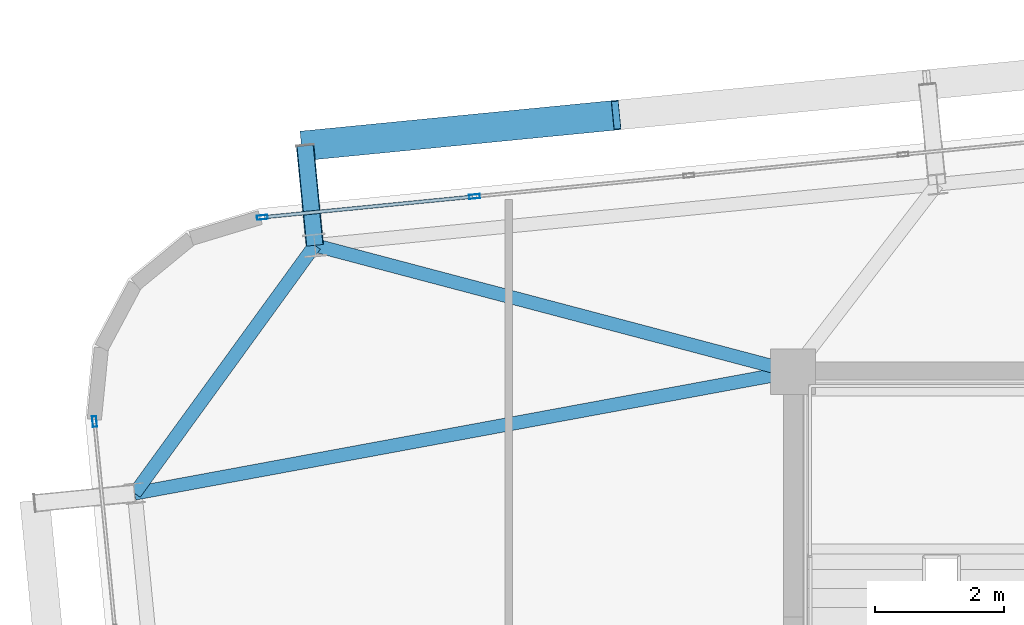
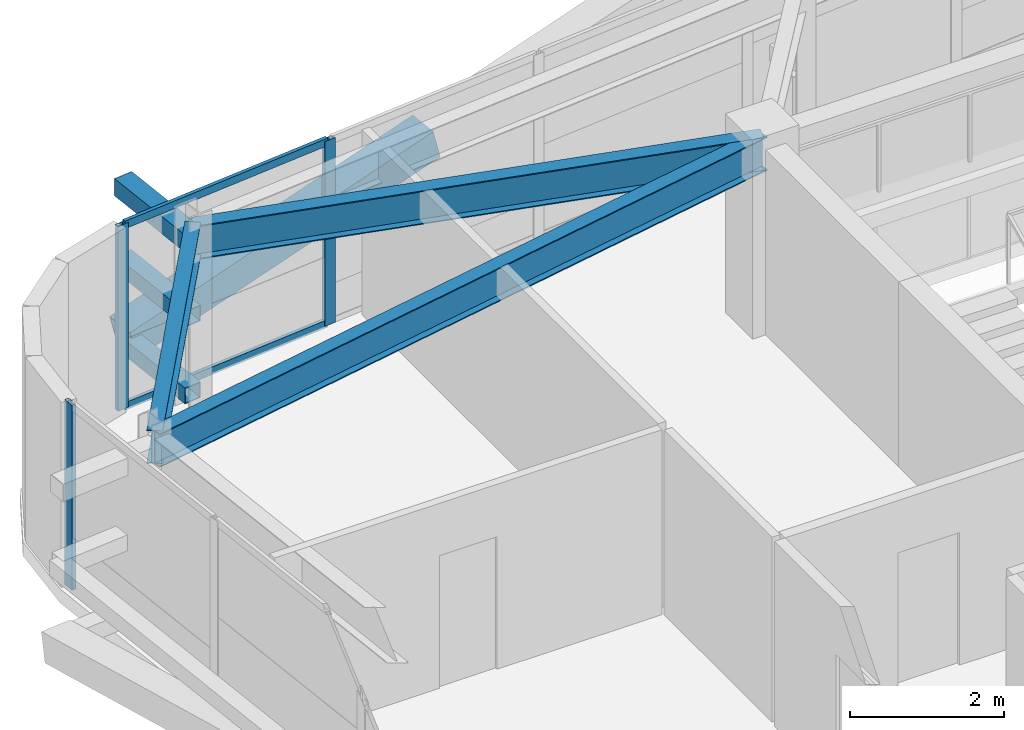
# One storey, part 27 of 54: 9 members, 3 beams, 2 elements without a shape of their own.
"""IFC4 building model written with IfcOpenShell, lengths in metres."""

from ifc_helpers import new_model, si_unit, direction, frame, origin, origin_2d, place, context, subcontext, project, spatial, hollow_rectangle, i_section, extrude, source, transform, mapped, material, layer, layer_set, material_profile, profile_set, type_object, element, aggregate, save


model = new_model("IFC4")

# Units and contexts
model_context = context("Model", 3, precision=1e-05, world=origin(), true_north=direction((0.0, 1.0)))
body_context = subcontext(model_context, "Body", "Model", "MODEL_VIEW")
ifc_project = project(units=[si_unit("LENGTHUNIT", "METRE"), si_unit("AREAUNIT", "SQUARE_METRE"), si_unit("VOLUMEUNIT", "CUBIC_METRE"), si_unit("PLANEANGLEUNIT", "RADIAN"), si_unit("MASSUNIT", "GRAM", prefix="KILO")], contexts=[model_context])

# Site, building, storey
site_placement = place(None, origin())
site = spatial("IfcSite", under=ifc_project, at=site_placement, CompositionType="ELEMENT")
building_placement = place(site_placement, origin())
building = spatial("IfcBuilding", under=site, at=building_placement, Name="Taldren Reach Tower", CompositionType="ELEMENT")
storey_placement = place(building_placement, frame((0.0, 0.0, 99.75)))
storey = spatial("IfcBuildingStorey", under=building, at=storey_placement, Name="L30", CompositionType="ELEMENT", Elevation=99.75)

# Beams
ifc_material_1 = material(Name="Steel Gr 350 (350PLUS)", Category="steel")
ifc_material_profile_1 = material_profile(ifc_material_1, i_section(OverallWidth=0.208984375, OverallDepth=0.528076171875, WebThickness=0.009521484375, FlangeThickness=0.01318359375, at=origin_2d()), Name="530UB82.0")
ifc_profile_set_1 = profile_set([ifc_material_profile_1], Name="Steel Gr 350 (350PLUS)")
beam_type_1 = type_object("IfcBeamType", Name="SP-UB530B", PredefinedType="SPANDREL", material=ifc_profile_set_1)
shared_shape_1 = source(origin(), body_context, "Body", "SweptSolid", [
    extrude(i_section(OverallWidth=0.208984375, OverallDepth=0.528076171875, WebThickness=0.009521484375, FlangeThickness=0.01318359375, at=origin_2d()), origin(), (0.0, 0.0, 1.0), 4.74609375),
])
beam_1_placement = place(storey_placement, frame((11.596923828125, 33.956787109375, 2.666015625), z_axis=(-0.587565912237, -0.809176308833, 0.0), x_axis=(0.809176308833, -0.587565912237, 0.0)))
element("IfcBeam", 1, at=beam_1_placement, inside=storey, type_object=beam_type_1, Name="Perimeter spandrel B2 N1-W3 L30", PredefinedType="SPANDREL", context=body_context, shape_type="MappedRepresentation", body=[
    mapped(shared_shape_1, transform((0.0, 0.0, 0.0), scale=1.0)),
])
ifc_material_profile_2 = material_profile(ifc_material_1, i_section(OverallWidth=0.208984375, OverallDepth=0.532958984375, WebThickness=0.01025390625, FlangeThickness=0.015625, at=origin_2d()), Name="530UB92.4")
ifc_profile_set_2 = profile_set([ifc_material_profile_2], Name="Steel Gr 350 (350PLUS)")
beam_type_2 = type_object("IfcBeamType", Name="BM-UB530A", PredefinedType="BEAM", material=ifc_profile_set_2)
shared_shape_2 = source(origin(), body_context, "Body", "SweptSolid", [
    extrude(i_section(OverallWidth=0.208984375, OverallDepth=0.532958984375, WebThickness=0.01025390625, FlangeThickness=0.015625, at=origin_2d()), origin(), (0.0, 0.0, 1.0), 7.6572265625),
])
beam_2_placement = place(storey_placement, frame((19.0, 32.0, 2.66357421875), z_axis=(-0.966797258245, 0.255544636904, 0.0), x_axis=(-0.255544636904, -0.966797258245, 0.0)))
element("IfcBeam", 2, at=beam_2_placement, inside=storey, type_object=beam_type_2, Name="Primary floor girder B2-N1 L30", PredefinedType="BEAM", context=body_context, shape_type="MappedRepresentation", body=[
    mapped(shared_shape_2, transform((0.0, 0.0, 0.0), scale=1.0)),
])
shared_shape_3 = source(origin(), body_context, "Body", "SweptSolid", [
    extrude(i_section(OverallWidth=0.208984375, OverallDepth=0.532958984375, WebThickness=0.01025390625, FlangeThickness=0.015625, at=origin_2d()), origin(), (0.0, 0.0, 1.0), 10.3642578125),
])
beam_3_placement = place(storey_placement, frame((19.0, 32.0, 2.66357421875), z_axis=(-0.983347548213, -0.181734970283, 0.0), x_axis=(0.181734970283, -0.983347548213, 0.0)))
element("IfcBeam", 3, at=beam_3_placement, inside=storey, type_object=beam_type_2, Name="Primary floor girder B2-W3 L30", PredefinedType="BEAM", context=body_context, shape_type="MappedRepresentation", body=[
    mapped(shared_shape_3, transform((0.0, 0.0, 0.0), scale=1.0)),
])

# Members
ifc_material_2 = material(Name="Steel Gr 450 (C450L0)", Category="steel")
ifc_material_profile_3 = material_profile(ifc_material_2, hollow_rectangle(XDim=0.27490234375, YDim=0.27490234375, WallThickness=0.00927734375, at=origin_2d()), Name="275x275x9.3SHS")
ifc_profile_set_3 = profile_set([ifc_material_profile_3], Name="Steel Gr 450 (C450L0)")
member_type_1 = type_object("IfcMemberType", Name="MB-TIE273", PredefinedType="STRUT", material=ifc_profile_set_3)
shared_shape_4 = source(origin(), body_context, "Body", "SweptSolid", [
    extrude(hollow_rectangle(XDim=0.27490234375, YDim=0.27490234375, WallThickness=0.00927734375, at=origin_2d()), origin(), (0.0, 0.0, 1.0), 1.550048828125),
])
member_1_placement = place(storey_placement, frame((11.596923828125, 33.956787109375, 2.64990234375), z_axis=(-0.097647892962, 0.9952210252, 0.0), x_axis=(-0.9952210252, -0.097647892962, 0.0)))
element("IfcMember", 4, at=member_1_placement, inside=storey, type_object=member_type_1, Name="Exoskeleton diaphragm tie strut B2-N1 L30", PredefinedType="STRUT", context=body_context, shape_type="MappedRepresentation", body=[
    mapped(shared_shape_4, transform((0.0, 0.0, 0.0), scale=1.0)),
])
ifc_material_profile_4 = material_profile(ifc_material_2, hollow_rectangle(XDim=0.4599609375, YDim=0.4599609375, WallThickness=0.01611328125, at=origin_2d()), Name="460x460x16.0SHS")
ifc_profile_set_4 = profile_set([ifc_material_profile_4], Name="Steel Gr 450 (C450L0)")
member_type_2 = type_object("IfcMemberType", Name="MB-EXO457", PredefinedType="BRACE", material=ifc_profile_set_4)
shared_shape_5 = source(origin(), body_context, "Body", "SweptSolid", [
    extrude(hollow_rectangle(XDim=0.4599609375, YDim=0.4599609375, WallThickness=0.01611328125, at=origin_2d()), origin(), (0.0, 0.0, 1.0), 4.990234375),
])
member_2_placement = place(storey_placement, frame((11.445556640625, 35.49951171875, 0.219970703125), z_axis=(0.965275526283, 0.094619506732, 0.243496010862), x_axis=(-0.097555749586, 0.995230061706, 0.0)))
element("IfcMember", 5, at=member_2_placement, inside=storey, type_object=member_type_2, Name="Exoskeleton Diagrid Brace B2-N1 L30", PredefinedType="BRACE", context=body_context, shape_type="MappedRepresentation", body=[
    mapped(shared_shape_5, transform((0.0, 0.0, 0.0), scale=1.0)),
])
ifc_material_3 = material(Name="Steel Gr 350 (C350L0)", Category="steel")
ifc_material_profile_5 = material_profile(ifc_material_3, hollow_rectangle(XDim=0.25, YDim=0.25, WallThickness=0.010009765625, at=origin_2d()), Name="250x250x10.0SHS")
ifc_profile_set_5 = profile_set([ifc_material_profile_5], Name="Steel Gr 350 (C350L0)")
member_type_3 = type_object("IfcMemberType", Name="MB-POST250", PredefinedType="POST", material=ifc_profile_set_5)
shared_shape_6 = source(origin(), body_context, "Body", "SweptSolid", [
    extrude(hollow_rectangle(XDim=0.25, YDim=0.25, WallThickness=0.010009765625, at=origin_2d()), origin(), (0.0, 0.0, 1.0), 1.550048828125),
])
for number, where, z_axis, x_axis, name in (
    (6, (11.596923828125, 33.956787109375, 0.219970703125), (-0.097647892962, 0.9952210252, 0.0), (-0.9952210252, -0.097647892962, 0.0), "Exoskeleton base diaphragm tie strut B2-N1 L30"),
    (7, (11.596923828125, 33.956787109375, 1.43505859375), (-0.097647892962, 0.9952210252, 0.0), (-0.9952210252, -0.097647892962, 0.0), "Exoskeleton mid-tier diaphragm tie B2-N1 L30"),
):
    element("IfcMember", number, at=place(storey_placement, frame(where, z_axis=z_axis, x_axis=x_axis)), inside=storey, type_object=member_type_3, Name=name, PredefinedType="POST", context=body_context, shape_type="MappedRepresentation", body=[
        mapped(shared_shape_6, transform((0.0, 0.0, 0.0), scale=1.0)),
    ])

# Curtain wall, members
ifc_material_4 = material(Name="Aluminium and Low-E Glass Unitised System", Category="aluminium")
ifc_layer = layer(ifc_material_4, 0.159912109375)
ifc_layer_set = layer_set([ifc_layer], Name="Aluminium and Low-E Glass Unitised System")
curtain_wall_type = type_object("IfcCurtainWallType", Name="CW-SYS-3", PredefinedType="NOTDEFINED", material=ifc_layer_set)
curtain_wall_1_placement = place(storey_placement, origin())
curtain_wall_1 = element("IfcCurtainWall", 8, at=curtain_wall_1_placement, inside=storey, type_object=curtain_wall_type, Name="Unitised curtain wall CW-L30-N", PredefinedType="NOTDEFINED")
ifc_material_5 = material(Name="Anodised Aluminium 6063-T6", Category="aluminium")
ifc_material_profile_6 = material_profile(ifc_material_5, hollow_rectangle(XDim=0.06494140625, YDim=0.1650390625, WallThickness=0.00390625, at=origin_2d()), Name="ALU-165x65x4RHS")
ifc_profile_set_6 = profile_set([ifc_material_profile_6], Name="Anodised Aluminium 6063-T6")
member_type_4 = type_object("IfcMemberType", Name="CW-MUL-165", PredefinedType="MULLION", material=ifc_profile_set_6)
shared_shape_7 = source(origin(), body_context, "Body", "SweptSolid", [
    extrude(hollow_rectangle(XDim=0.06494140625, YDim=0.1650390625, WallThickness=0.00390625, at=origin_2d()), origin(), (0.0, 0.0, 1.0), 2.929931640625),
])
member_3_placement = place(storey_placement, frame((14.068359375, 34.711669921875, 0.0), z_axis=(0.0, 0.0, 1.0), x_axis=(0.097582999046, -0.995227390247, 0.0)))
member_3 = element("IfcMember", 9, at=member_3_placement, type_object=member_type_4, Name="CW-3 mullion 15", PredefinedType="MULLION", context=body_context, shape_type="MappedRepresentation", body=[
    mapped(shared_shape_7, transform((0.0, 0.0, 0.0), scale=1.0)),
])
member_4_placement = place(storey_placement, frame((10.783203125, 34.3896484375, 0.0), z_axis=(0.0, 0.0, 1.0), x_axis=(0.097582999046, -0.995227390247, 0.0)))
member_4 = element("IfcMember", 10, at=member_4_placement, type_object=member_type_4, Name="CW-3 mullion 16", PredefinedType="MULLION", context=body_context, shape_type="MappedRepresentation", body=[
    mapped(shared_shape_7, transform((0.0, 0.0, 0.0), scale=1.0)),
])

# Curtain wall, member
curtain_wall_2_placement = place(storey_placement, origin())
curtain_wall_2 = element("IfcCurtainWall", 11, at=curtain_wall_2_placement, inside=storey, type_object=curtain_wall_type, Name="Unitised curtain wall CW-L30-W", PredefinedType="NOTDEFINED")
member_5_placement = place(storey_placement, frame((8.186767578125, 31.228515625, 0.0), z_axis=(0.0, 0.0, 1.0), x_axis=(0.99522741555, 0.09758274098, 0.0)))
member_5 = element("IfcMember", 12, at=member_5_placement, type_object=member_type_4, Name="CW-3 mullion 1", PredefinedType="MULLION", context=body_context, shape_type="MappedRepresentation", body=[
    mapped(shared_shape_7, transform((0.0, 0.0, 0.0), scale=1.0)),
])
aggregate(curtain_wall_2, [member_5])

# Member
ifc_material_profile_7 = material_profile(ifc_material_5, hollow_rectangle(XDim=0.054931640625, YDim=0.1201171875, WallThickness=0.0029296875, at=origin_2d()), Name="ALU-120x55x3RHS")
ifc_profile_set_7 = profile_set([ifc_material_profile_7], Name="Anodised Aluminium 6063-T6")
member_type_5 = type_object("IfcMemberType", Name="CW-TRN-135", PredefinedType="USERDEFINED", material=ifc_profile_set_7)
shared_shape_8 = source(origin(), body_context, "Body", "SweptSolid", [
    extrude(hollow_rectangle(XDim=0.054931640625, YDim=0.1201171875, WallThickness=0.0029296875, at=origin_2d()), origin(), (0.0, 0.0, 1.0), 3.235595703125),
])
member_6_placement = place(storey_placement, frame((14.035888671875, 34.70849609375, 0.027587890625), z_axis=(-0.995229530729, -0.09756116628, 0.0), x_axis=(0.09756116628, -0.995229530729, 0.0)))
member_6 = element("IfcMember", 13, at=member_6_placement, type_object=member_type_5, Name="CW-3 transom 15.1", ObjectType="TRANSOM", PredefinedType="USERDEFINED", context=body_context, shape_type="MappedRepresentation", body=[
    mapped(shared_shape_8, transform((0.0, 0.0, 0.0), scale=1.0)),
])

member_7_placement = place(storey_placement, frame((14.035888671875, 34.70849609375, 2.902587890625), z_axis=(-0.995229530729, -0.09756116628, 0.0), x_axis=(0.09756116628, -0.995229530729, 0.0)))
member_7 = element("IfcMember", 14, at=member_7_placement, type_object=member_type_5, Name="CW-3 transom 15.2", ObjectType="TRANSOM", PredefinedType="USERDEFINED", context=body_context, shape_type="MappedRepresentation", body=[
    mapped(shared_shape_8, transform((0.0, 0.0, 0.0), scale=1.0)),
])

aggregate(curtain_wall_1, [member_3, member_4, member_6, member_7])

save(model, "model.ifc")
